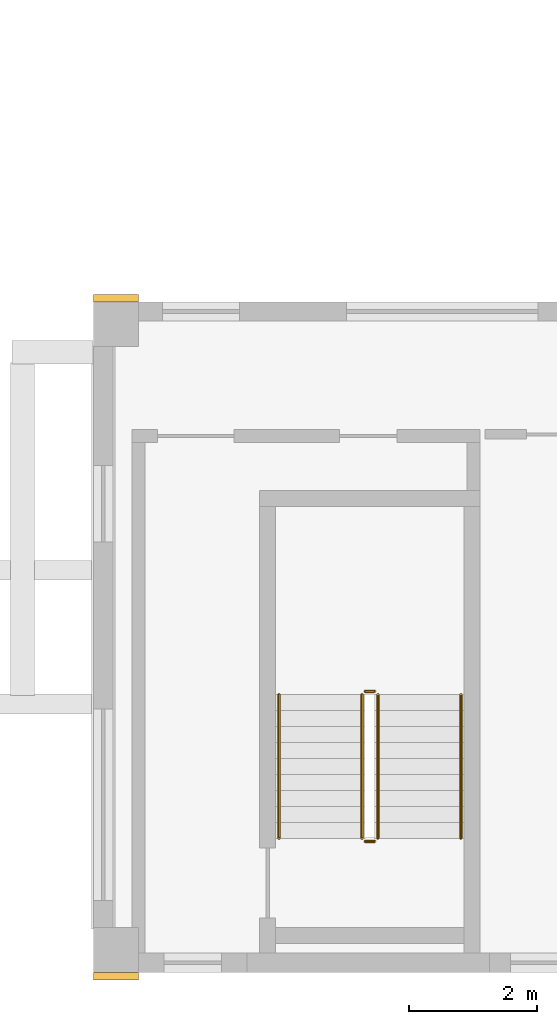
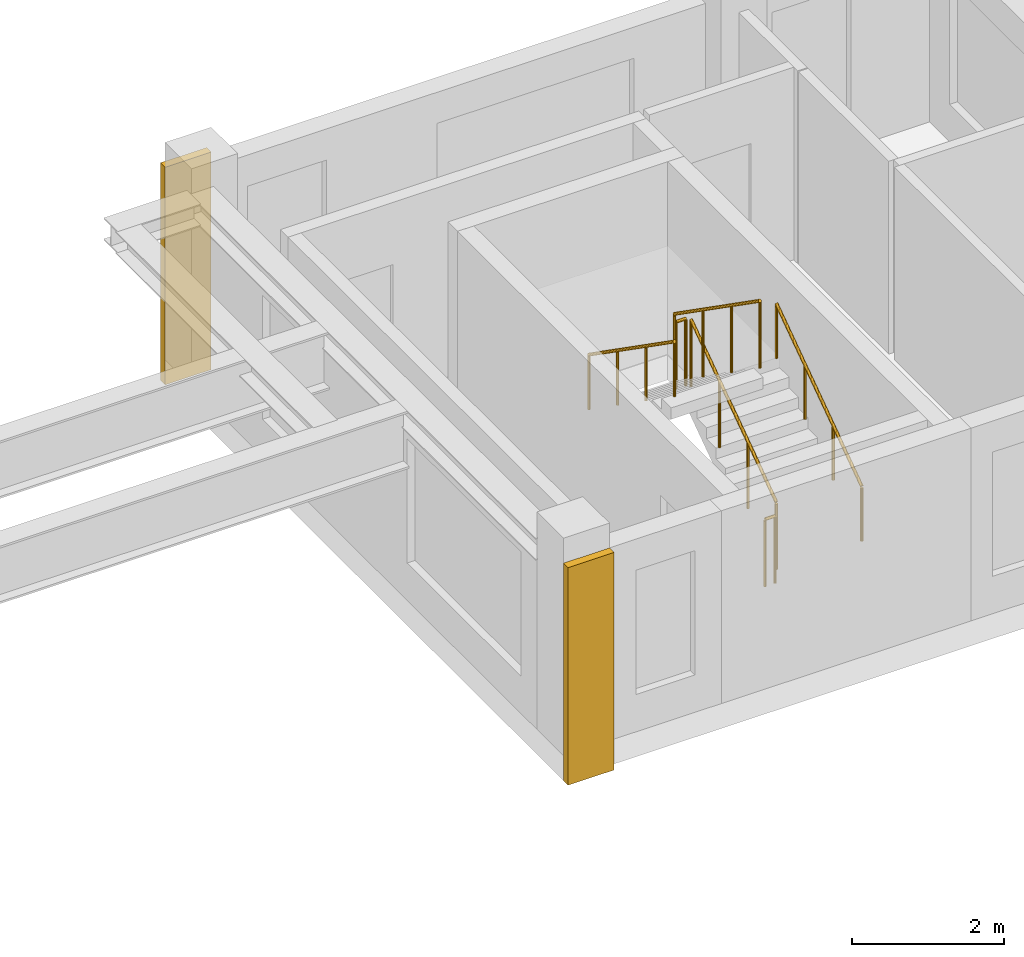
# One storey, part 7 of 8: 6 railings, 2 coverings.
"""IFC4 building model written with IfcOpenShell, lengths in metres."""

import ifcopenshell
import ifcopenshell.guid

model = None  # the IFC model being written
_history = None  # IfcOwnerHistory: only IFC2X3 demands one
_inside = {}  # id of a spatial element -> (the spatial element, [elements in it])
_under = {}  # id of a project, library or spatial element -> (it, [spatial elements below it])
_declared = {}  # id of a project -> (the project, [libraries it declares])
_typed = {}  # id of a type object -> (the type object, [elements of that type])
_made_of = {}  # id of a material, layer set ... -> (it, [elements and type objects made of it])


def new_model(schema):
    """Start an empty IFC model of exactly this schema.

    Asked for "IFC4X3", IfcOpenShell would pick the latest addendum, in which some entities
    have other attributes; the version numbers below select the first issue.
    IFC2X3 requires an IfcOwnerHistory on every rooted entity: one is made here for all.
    """
    global model, _history
    if schema == "IFC4X3":
        model = ifcopenshell.file(schema_version=(4, 3, 0, 0))
    else:
        model = ifcopenshell.file(schema=schema)
    _inside.clear()
    _under.clear()
    _declared.clear()
    _typed.clear()
    _made_of.clear()
    _history = None
    if model.schema == "IFC2X3":
        org = make("IfcOrganization", Name="unknown")
        user = make(
            "IfcPersonAndOrganization",
            ThePerson=make("IfcPerson", FamilyName="unknown"),
            TheOrganization=org,
        )
        app = make(
            "IfcApplication",
            ApplicationDeveloper=org,
            Version="unknown",
            ApplicationFullName="unknown",
            ApplicationIdentifier="unknown",
        )
        _history = make(
            "IfcOwnerHistory",
            OwningUser=user,
            OwningApplication=app,
            ChangeAction="ADDED",
            CreationDate=0,
        )
    return model


def make(cls, **values):
    """One entity of the class cls with the attributes given. An attribute that is None is left unset."""
    return model.create_entity(
        cls, **{name: value for name, value in values.items() if value is not None}
    )


def rooted(cls, **values):
    """An entity with a GlobalId (a new one), such as an element, a storey or a relation."""
    return make(cls, GlobalId=ifcopenshell.guid.new(), OwnerHistory=_history, **values)


def si_unit(unit_type, name, prefix=None):
    """IfcSIUnit, for example si_unit("LENGTHUNIT", "METRE", prefix="MILLI")."""
    return make("IfcSIUnit", UnitType=unit_type, Prefix=prefix, Name=name)


def assignment(units):
    """IfcUnitAssignment: the units of a project."""
    return None if units is None else make("IfcUnitAssignment", Units=units)


def point(xyz):
    """IfcCartesianPoint."""
    return None if xyz is None else make("IfcCartesianPoint", Coordinates=xyz)


def direction(xyz):
    """IfcDirection."""
    return None if xyz is None else make("IfcDirection", DirectionRatios=xyz)


def frame(location, z_axis=None, x_axis=None):
    """IfcAxis2Placement3D, a coordinate frame: its origin and axes. An axis left out is left unset."""
    return make(
        "IfcAxis2Placement3D",
        Location=point(location),
        Axis=direction(z_axis),
        RefDirection=direction(x_axis),
    )


def frame_2d(location, x_axis=None):
    """IfcAxis2Placement2D, a coordinate frame in the plane: its origin and x axis."""
    return make(
        "IfcAxis2Placement2D", Location=point(location), RefDirection=direction(x_axis)
    )


def origin():
    """The frame at (0, 0, 0) with its axes left unset."""
    return frame((0.0, 0.0, 0.0))


def origin_2d():
    """The frame at (0, 0) in the plane with its x axis left unset."""
    return frame_2d((0.0, 0.0))


def place(relative_to, where):
    """IfcLocalPlacement: puts the frame where relative to a parent placement (None: the world)."""
    return make(
        "IfcLocalPlacement", PlacementRelTo=relative_to, RelativePlacement=where
    )


def context(
    kind, dimensions, precision=None, world=None, true_north=None, identifier=None
):
    """IfcGeometricRepresentationContext, for example the 3D "Model" context."""
    return make(
        "IfcGeometricRepresentationContext",
        ContextIdentifier=identifier,
        ContextType=kind,
        CoordinateSpaceDimension=dimensions,
        Precision=precision,
        WorldCoordinateSystem=world,
        TrueNorth=true_north,
    )


def subcontext(parent, identifier, kind, view, scale=None):
    """IfcGeometricRepresentationSubContext, for example "Body" below "Model"."""
    return make(
        "IfcGeometricRepresentationSubContext",
        ContextIdentifier=identifier,
        ContextType=kind,
        ParentContext=parent,
        TargetScale=scale,
        TargetView=view,
    )


def project(units=None, contexts=None):
    """IfcProject with its units and contexts."""
    return rooted(
        "IfcProject",
        Name="project",
        RepresentationContexts=contexts,
        UnitsInContext=assignment(units),
    )


def spatial(cls, under=None, at=None, **own):
    """A site, building, storey or space (cls), placed at a placement, below another one or the project."""
    s = rooted(cls, ObjectPlacement=at, **own)
    if under is not None:
        _under.setdefault(under.id(), (under, []))[1].append(s)
    return s


def profile(cls, at=None, kind="AREA", **sizes):
    """A parametric profile (cls). Its sizes go by their IFC names, for example OverallWidth=200.0."""
    return make(cls, ProfileType=kind, Position=at, **sizes)


def rectangle(**sizes):
    """IfcRectangleProfileDef."""
    return profile("IfcRectangleProfileDef", **sizes)


def circle(**sizes):
    """IfcCircleProfileDef."""
    return profile("IfcCircleProfileDef", **sizes)


def extrude(swept, where, along, depth):
    """IfcExtrudedAreaSolid: the profile swept, set in the frame where, extruded along a direction by depth."""
    return make(
        "IfcExtrudedAreaSolid",
        SweptArea=swept,
        Position=where,
        ExtrudedDirection=direction(along),
        Depth=depth,
    )


def shape(context_of_items, identifier, shape_type, items):
    """IfcShapeRepresentation: the items that make up one representation, for example the "Body"."""
    return make(
        "IfcShapeRepresentation",
        ContextOfItems=context_of_items,
        RepresentationIdentifier=identifier,
        RepresentationType=shape_type,
        Items=items,
    )


def source(mapping_origin, context_of_items, identifier, shape_type, items):
    """IfcRepresentationMap: a shape defined once, which mapped items show again and again."""
    return make(
        "IfcRepresentationMap",
        MappingOrigin=mapping_origin,
        MappedRepresentation=shape(context_of_items, identifier, shape_type, items),
    )


def transform(
    local_origin,
    x_axis=None,
    y_axis=None,
    z_axis=None,
    scale=None,
    scale2=None,
    scale3=None,
    uniform=True,
):
    """IfcCartesianTransformationOperator3D, or its non-uniform kind. x_axis, y_axis, z_axis: its Axis1, 2, 3."""
    if uniform:
        return make(
            "IfcCartesianTransformationOperator3D",
            Axis1=direction(x_axis),
            Axis2=direction(y_axis),
            LocalOrigin=point(local_origin),
            Scale=scale,
            Axis3=direction(z_axis),
        )
    return make(
        "IfcCartesianTransformationOperator3DnonUniform",
        Axis1=direction(x_axis),
        Axis2=direction(y_axis),
        LocalOrigin=point(local_origin),
        Scale=scale,
        Axis3=direction(z_axis),
        Scale2=scale2,
        Scale3=scale3,
    )


def mapped(mapping_source, mapping_target):
    """IfcMappedItem: shows the shape of a source again, moved by a transform."""
    return make(
        "IfcMappedItem", MappingSource=mapping_source, MappingTarget=mapping_target
    )


def material(Name=None, Category=None):
    """IfcMaterial."""
    return make("IfcMaterial", Name=Name, Category=Category)


def made_of(thing, what):
    """Note that an element or type object is made of a material, layer set ...; save() writes the relation."""
    if what is not None:
        _made_of.setdefault(what.id(), (what, []))[1].append(thing)
    return thing


def type_object(cls, material=None, **own):
    """A type object (cls), such as IfcWallType, which elements share."""
    return made_of(rooted(cls, **own), material)


def element(
    cls,
    number,
    at=None,
    inside=None,
    cuts=None,
    type_object=None,
    material=None,
    context=None,
    identifier="Body",
    shape_type=None,
    held_by="IfcProductDefinitionShape",
    body=None,
    shapes=None,
    **own,
):
    """One element of the class cls, such as IfcWall. Its Tag is "e" and its number.

    at: its placement. inside: the storey or other place that contains it. cuts: it is an
    opening in that element (IfcRelVoidsElement). A single representation is given by context,
    identifier, shape_type and body (its items); several are given by shapes. held_by: the class
    of the entity that holds the representations. save() writes the other relations.
    """
    e = rooted(cls, Tag="e%d" % number, ObjectPlacement=at, **own)
    if body is not None:
        shapes = [shape(context, identifier, shape_type, body)]
    if shapes is not None:
        e.Representation = make(held_by, Representations=shapes)
    if inside is not None:
        _inside.setdefault(inside.id(), (inside, []))[1].append(e)
    if cuts is not None:
        rooted(
            "IfcRelVoidsElement", RelatingBuildingElement=cuts, RelatedOpeningElement=e
        )
    if type_object is not None:
        _typed.setdefault(type_object.id(), (type_object, []))[1].append(e)
    return made_of(e, material)


def aggregate(whole, parts):
    """IfcRelAggregates: a whole, such as a stair, and the parts it consists of."""
    return rooted("IfcRelAggregates", RelatingObject=whole, RelatedObjects=parts)


def save(model, path):
    """Write the relations noted so far, then the file.

    IfcRelAggregates (storeys below a building ...), IfcRelContainedInSpatialStructure (elements
    in a storey), IfcRelDefinesByType, IfcRelAssociatesMaterial and IfcRelDeclares: one each for
    every whole, place, type object, material and project.
    """
    for whole, parts in _under.values():
        aggregate(whole, parts)
    for where, things in _inside.values():
        rooted(
            "IfcRelContainedInSpatialStructure",
            RelatedElements=things,
            RelatingStructure=where,
        )
    for kind, things in _typed.values():
        rooted("IfcRelDefinesByType", RelatedObjects=things, RelatingType=kind)
    for what, things in _made_of.values():
        rooted("IfcRelAssociatesMaterial", RelatedObjects=things, RelatingMaterial=what)
    for by, libraries in _declared.values():
        rooted("IfcRelDeclares", RelatingContext=by, RelatedDefinitions=libraries)
    model.write(path)


model = new_model("IFC4")

# Units and contexts
model_context = context("Model", 3, precision=1e-05, world=origin(), true_north=direction((0.0, 1.0)))
body_context = subcontext(model_context, "Body", "Model", "MODEL_VIEW")
ifc_project = project(units=[si_unit("LENGTHUNIT", "METRE"), si_unit("AREAUNIT", "SQUARE_METRE"), si_unit("VOLUMEUNIT", "CUBIC_METRE"), si_unit("PLANEANGLEUNIT", "RADIAN"), si_unit("MASSUNIT", "GRAM", prefix="KILO")], contexts=[model_context])

# Site, building, storey
site_placement = place(None, origin())
site = spatial("IfcSite", under=ifc_project, at=site_placement, CompositionType="ELEMENT")
building_placement = place(site_placement, origin())
building = spatial("IfcBuilding", under=site, at=building_placement, Name="Aurelian Terraces", CompositionType="ELEMENT")
storey_placement = place(building_placement, frame((0.0, 0.0, 302.0)))
storey = spatial("IfcBuildingStorey", under=building, at=storey_placement, Name="L69", CompositionType="ELEMENT", Elevation=302.0)

# Coverings
ifc_material_1 = material(Name="Terracotta rainscreen cladding relief", Category="masonry")
covering_type = type_object("IfcCoveringType", Name="BAGUETTE-TC", PredefinedType="CLADDING", material=ifc_material_1)
shared_shape_1 = source(origin(), body_context, "Body", "SweptSolid", [
    extrude(rectangle(XDim=0.7, YDim=0.12, at=origin_2d()), origin(), (0.0, 0.0, 1.0), 3.5),
])
for number, where, z_axis, x_axis, name in (
    (1, (38.15, -0.06, -0.4), (0.0, 0.0, 1.0), (1.0, 0.0, 0.0), "BAGUETTE pier L69 2"),
    (2, (38.15, 10.56, -0.4), (0.0, 0.0, 1.0), (1.0, 0.0, 0.0), "BAGUETTE pier L69 3"),
):
    element("IfcCovering", number, at=place(storey_placement, frame(where, z_axis=z_axis, x_axis=x_axis)), inside=storey, type_object=covering_type, Name=name, PredefinedType="CLADDING", context=body_context, shape_type="MappedRepresentation", body=[
        mapped(shared_shape_1, transform((0.0, 0.0, 0.0), scale=1.0)),
    ])

# Railings
ifc_material_2 = material(Name="Stainless steel", Category="steel")
railing_type_1 = type_object("IfcRailingType", Name="Stair guard 1100", PredefinedType="GUARDRAIL", material=ifc_material_2)
shared_shape_2 = source(origin(), body_context, "Body", "SweptSolid", [
    extrude(circle(Radius=0.024, at=origin_2d()), frame((0.0, 0.0, 1.076), z_axis=(-1.0, 0.0, 0.0), x_axis=(0.0, -1.0, 0.0)), (0.0, 0.0, 1.0), 0.15),
    extrude(circle(Radius=0.021, at=origin_2d()), origin(), (0.0, 0.0, 1.0), 1.052),
    extrude(circle(Radius=0.021, at=origin_2d()), frame((-0.15, 0.0, 0.0)), (0.0, 0.0, 1.0), 1.052),
])
for number, where, name in (
    (3, (42.2, 4.4, 1.75), "L69 S2 stair guard 2"),
    (4, (42.2, 2.05, 0.0), "L69 S2 stair guard 4"),
):
    element("IfcRailing", number, at=place(storey_placement, frame(where)), inside=storey, type_object=railing_type_1, Name=name, PredefinedType="GUARDRAIL", context=body_context, shape_type="MappedRepresentation", body=[
        mapped(shared_shape_2, transform((0.0, 0.0, 0.0), scale=1.0)),
    ])
shared_shape_3 = source(origin(), body_context, "Body", "SweptSolid", [
    extrude(circle(Radius=0.024, at=origin_2d()), frame((0.0, 0.0, 1.076), z_axis=(0.0, 0.819231920519, 0.573462344363), x_axis=(-1.0, 0.0, 0.0)), (0.0, 0.0, 1.0), 2.7465),
    extrude(circle(Radius=0.021, at=origin_2d()), origin(), (0.0, 0.0, 1.0), 1.052),
    extrude(circle(Radius=0.021, at=origin_2d()), frame((0.0, 0.75, 0.525)), (0.0, 0.0, 1.0), 1.052),
    extrude(circle(Radius=0.021, at=origin_2d()), frame((0.0, 1.5, 1.05)), (0.0, 0.0, 1.0), 1.052),
    extrude(circle(Radius=0.021, at=origin_2d()), frame((0.0, 2.25, 1.575)), (0.0, 0.0, 1.0), 1.052),
])
railing_1_placement = place(storey_placement, frame((42.25, 2.1, 0.175)))
element("IfcRailing", 5, at=railing_1_placement, inside=storey, type_object=railing_type_1, Name="L69 S2 stair guard 1", PredefinedType="GUARDRAIL", context=body_context, shape_type="MappedRepresentation", body=[
    mapped(shared_shape_3, transform((0.0, 0.0, 0.0), scale=1.0)),
])
shared_shape_4 = source(origin(), body_context, "Body", "SweptSolid", [
    extrude(circle(Radius=0.024, at=origin_2d()), frame((0.0, 0.0, 1.076), z_axis=(0.0, -0.819231920519, 0.573462344363), x_axis=(1.0, 0.0, 0.0)), (0.0, 0.0, 1.0), 2.7465),
    extrude(circle(Radius=0.021, at=origin_2d()), origin(), (0.0, 0.0, 1.0), 1.052),
    extrude(circle(Radius=0.021, at=origin_2d()), frame((0.0, -0.75, 0.525)), (0.0, 0.0, 1.0), 1.052),
    extrude(circle(Radius=0.021, at=origin_2d()), frame((0.0, -1.5, 1.05)), (0.0, 0.0, 1.0), 1.052),
    extrude(circle(Radius=0.021, at=origin_2d()), frame((0.0, -2.25, 1.575)), (0.0, 0.0, 1.0), 1.052),
])
railing_2_placement = place(storey_placement, frame((42.0, 4.35, 1.925)))
element("IfcRailing", 6, at=railing_2_placement, inside=storey, type_object=railing_type_1, Name="L69 S2 stair guard 3", PredefinedType="GUARDRAIL", context=body_context, shape_type="MappedRepresentation", body=[
    mapped(shared_shape_4, transform((0.0, 0.0, 0.0), scale=1.0)),
])
railing_type_2 = type_object("IfcRailingType", Name="Stair handrail", PredefinedType="HANDRAIL", material=ifc_material_2)
shared_shape_5 = source(origin(), body_context, "Body", "SweptSolid", [
    extrude(circle(Radius=0.024, at=origin_2d()), frame((0.0, 0.0, 0.876), z_axis=(0.0, 0.819231920519, 0.573462344363), x_axis=(-1.0, 0.0, 0.0)), (0.0, 0.0, 1.0), 2.7465),
    extrude(circle(Radius=0.021, at=origin_2d()), origin(), (0.0, 0.0, 1.0), 0.852),
    extrude(circle(Radius=0.021, at=origin_2d()), frame((0.0, 0.75, 0.525)), (0.0, 0.0, 1.0), 0.852),
    extrude(circle(Radius=0.021, at=origin_2d()), frame((0.0, 1.5, 1.05)), (0.0, 0.0, 1.0), 0.852),
    extrude(circle(Radius=0.021, at=origin_2d()), frame((0.0, 2.25, 1.575)), (0.0, 0.0, 1.0), 0.852),
])
railing_3_placement = place(storey_placement, frame((43.55, 2.1, 0.175)))
element("IfcRailing", 7, at=railing_3_placement, inside=storey, type_object=railing_type_2, Name="L69 S2 stair handrail 1", PredefinedType="HANDRAIL", context=body_context, shape_type="MappedRepresentation", body=[
    mapped(shared_shape_5, transform((0.0, 0.0, 0.0), scale=1.0)),
])
shared_shape_6 = source(origin(), body_context, "Body", "SweptSolid", [
    extrude(circle(Radius=0.024, at=origin_2d()), frame((0.0, 0.0, 0.876), z_axis=(0.0, -0.819231920519, 0.573462344363), x_axis=(1.0, 0.0, 0.0)), (0.0, 0.0, 1.0), 2.7465),
    extrude(circle(Radius=0.021, at=origin_2d()), origin(), (0.0, 0.0, 1.0), 0.852),
    extrude(circle(Radius=0.021, at=origin_2d()), frame((0.0, -0.75, 0.525)), (0.0, 0.0, 1.0), 0.852),
    extrude(circle(Radius=0.021, at=origin_2d()), frame((0.0, -1.5, 1.05)), (0.0, 0.0, 1.0), 0.852),
    extrude(circle(Radius=0.021, at=origin_2d()), frame((0.0, -2.25, 1.575)), (0.0, 0.0, 1.0), 0.852),
])
railing_4_placement = place(storey_placement, frame((40.7, 4.35, 1.925)))
element("IfcRailing", 8, at=railing_4_placement, inside=storey, type_object=railing_type_2, Name="L69 S2 stair handrail 2", PredefinedType="HANDRAIL", context=body_context, shape_type="MappedRepresentation", body=[
    mapped(shared_shape_6, transform((0.0, 0.0, 0.0), scale=1.0)),
])

save(model, "model.ifc")
